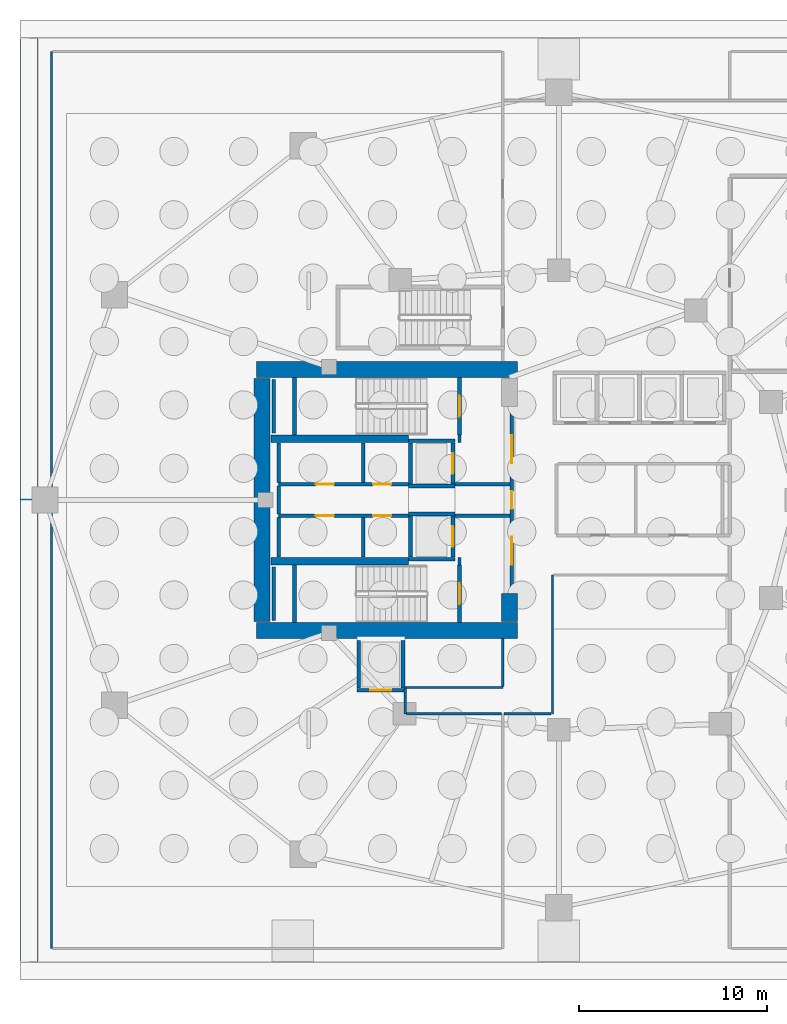
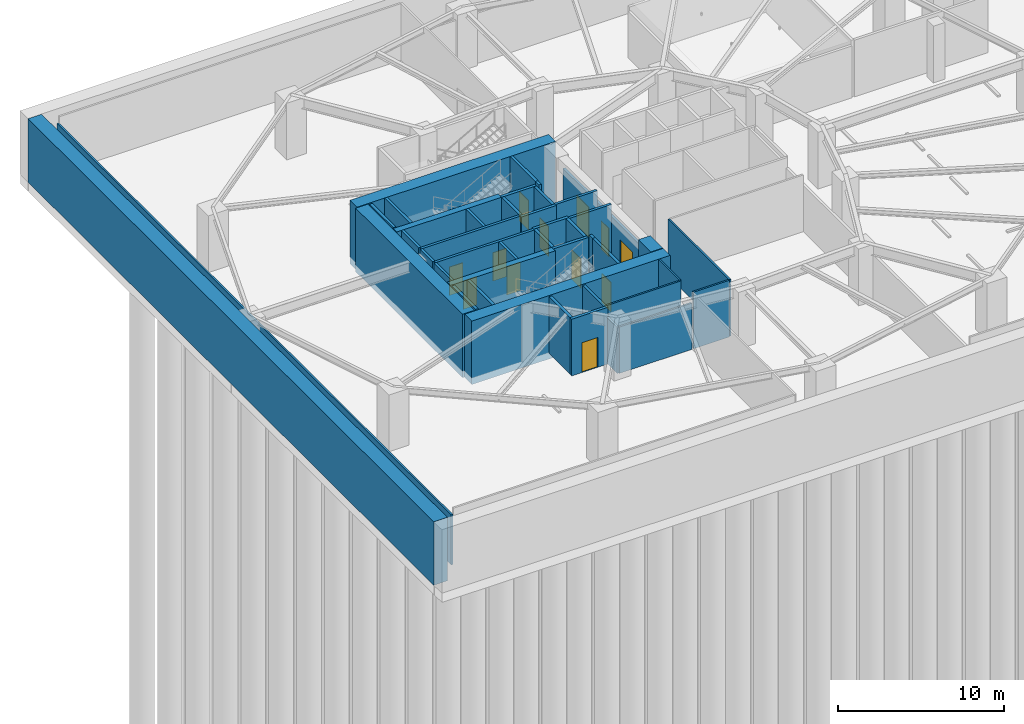
# One storey, part 6 of 19: 43 walls, 12 doors, 12 openings.
"""IFC4 building model written with IfcOpenShell, lengths in metres."""

from ifc_helpers import new_model, si_unit, direction, frame, frame_2d, origin, place, context, subcontext, project, spatial, rectangle, extrude, material, layer, layer_set, type_object, element, fill, save


model = new_model("IFC4")

# Units and contexts
model_context = context("Model", 3, precision=1e-05, world=origin(), true_north=direction((0.0, 1.0)))
body_context = subcontext(model_context, "Body", "Model", "MODEL_VIEW")
ifc_project = project(units=[si_unit("LENGTHUNIT", "METRE"), si_unit("AREAUNIT", "SQUARE_METRE"), si_unit("VOLUMEUNIT", "CUBIC_METRE"), si_unit("PLANEANGLEUNIT", "RADIAN"), si_unit("MASSUNIT", "GRAM", prefix="KILO")], contexts=[model_context])

# Site, building, storey
site_placement = place(None, origin())
site = spatial("IfcSite", under=ifc_project, at=site_placement, CompositionType="ELEMENT")
building_placement = place(site_placement, origin())
building = spatial("IfcBuilding", under=site, at=building_placement, Name="Kolvaren Gate Tower and Convention Centre", CompositionType="ELEMENT")
storey_placement = place(building_placement, frame((0.0, 0.0, -13.5)))
storey = spatial("IfcBuildingStorey", under=building, at=storey_placement, Name="B3", CompositionType="ELEMENT", Elevation=-13.5)

# Walls
ifc_material_1 = material(Name="Autoclaved Aerated Masonry Blockwork Class 4 (4.0 MPa)", Category="masonry")
ifc_layer_1 = layer(ifc_material_1, 0.179931640625)
ifc_layer_set_1 = layer_set([ifc_layer_1], Name="Autoclaved Aerated Masonry Blockwork Class 4 (4.0 MPa)")
wall_type_1 = type_object("IfcWallType", Name="ARCH-WL-COMP-180", PredefinedType="SOLIDWALL", material=ifc_layer_set_1)
for number, where, z_axis, x_axis, name in (
    (1, (24.85009765625, 23.5400390625, 0.0), (0.0, 0.0, 1.0), (0.0, 1.0, 0.0), "Interior Partition WL-B3-INT-001"),
    (2, (24.85009765625, 30.0400390625, 0.0), (0.0, 0.0, 1.0), (0.0, 1.0, 0.0), "Interior Partition WL-B3-INT-002"),
):
    element("IfcWall", number, at=place(storey_placement, frame(where, z_axis=z_axis, x_axis=x_axis)), inside=storey, type_object=wall_type_1, Name=name, PredefinedType="SOLIDWALL", context=body_context, shape_type="SweptSolid", body=[
        extrude(rectangle(XDim=0.419921875, YDim=0.179931640625, at=frame_2d((0.2099609375, 0.0))), origin(), (0.0, 0.0, 1.0), 4.179931640625),
    ])

# Wall, openings, doors
wall_1_placement = place(storey_placement, frame((27.6201171875, 22.050048828125, 0.0), z_axis=(0.0, 0.0, 1.0), x_axis=(0.0, 1.0, 0.0)))
wall_1 = element("IfcWall", 3, at=wall_1_placement, inside=storey, type_object=wall_type_1, Name="Interior Partition WL-B3-INT-003", PredefinedType="SOLIDWALL", context=body_context, shape_type="SweptSolid", body=[
    extrude(rectangle(XDim=9.89990234375, YDim=0.179931640625, at=frame_2d((4.949951171875, 0.0))), origin(), (0.0, 0.0, 1.0), 3.27197265625),
])
opening_1_placement = place(wall_1_placement, frame((4.47509765625, 0.0, 0.0)))
opening_1 = element("IfcOpeningElement", 4, at=opening_1_placement, cuts=wall_1, Name="Opening DR-01", PredefinedType="OPENING", context=body_context, shape_type="SweptSolid", body=[
    extrude(rectangle(XDim=0.949951171875, YDim=2.10009765625, at=frame_2d((0.47509765625, 1.050048828125))), frame((0.0, 0.099853515625, 0.0), z_axis=(0.0, -1.0, 0.0), x_axis=(1.0, 0.0, 0.0)), (0.0, 0.0, 1.0), 0.199951171875),
])
opening_2_placement = place(wall_1_placement, frame((6.889892578125, 0.0, 0.0)))
opening_2 = element("IfcOpeningElement", 5, at=opening_2_placement, cuts=wall_1, Name="Opening DL-01", PredefinedType="OPENING", context=body_context, shape_type="SweptSolid", body=[
    extrude(rectangle(XDim=1.5, YDim=2.199951171875, at=frame_2d((0.75, 1.10009765625))), frame((0.0, 0.099853515625, 0.0), z_axis=(0.0, -1.0, 0.0), x_axis=(1.0, 0.0, 0.0)), (0.0, 0.0, 1.0), 0.199951171875),
])
opening_3_placement = place(wall_1_placement, frame((1.510009765625, 0.0, 0.0)))
opening_3 = element("IfcOpeningElement", 6, at=opening_3_placement, cuts=wall_1, Name="Opening DL-01", PredefinedType="OPENING", context=body_context, shape_type="SweptSolid", body=[
    extrude(rectangle(XDim=1.5, YDim=2.199951171875, at=frame_2d((0.75, 1.10009765625))), frame((0.0, 0.099853515625, 0.0), z_axis=(0.0, -1.0, 0.0), x_axis=(1.0, 0.0, 0.0)), (0.0, 0.0, 1.0), 0.199951171875),
])
ifc_material_2 = material(Name="Painted Architectural Steelwork ASTM A500 Grade C 345 MPa", Category="steel")
door_type_1 = type_object("IfcDoorType", Name="ARCH-DR-LOBBY-1500", OperationType="DOUBLE_DOOR_SINGLE_SWING", PredefinedType="DOOR", material=ifc_material_2)
door_1_placement = place(opening_2_placement, origin())
door_1 = element("IfcDoor", 7, at=door_1_placement, inside=storey, type_object=door_type_1, Name="North Firefighting Stair and Lift Lobby Door", OperationType="DOUBLE_DOOR_SINGLE_SWING", OverallHeight=2.199951171875, OverallWidth=1.5, PredefinedType="DOOR", context=body_context, shape_type="SweptSolid", body=[
    extrude(rectangle(XDim=1.5, YDim=2.199951171875, at=frame_2d((0.75, 1.10009765625))), frame((0.0, 0.02490234375, 0.0), z_axis=(0.0, -1.0, 0.0), x_axis=(1.0, 0.0, 0.0)), (0.0, 0.0, 1.0), 0.050048828125),
])
fill(opening_2, door_1)
door_2_placement = place(opening_3_placement, origin())
door_2 = element("IfcDoor", 8, at=door_2_placement, inside=storey, type_object=door_type_1, Name="South Firefighting Stair and Lift Lobby Door", OperationType="DOUBLE_DOOR_SINGLE_SWING", OverallHeight=2.199951171875, OverallWidth=1.5, PredefinedType="DOOR", context=body_context, shape_type="SweptSolid", body=[
    extrude(rectangle(XDim=1.5, YDim=2.199951171875, at=frame_2d((0.75, 1.10009765625))), frame((0.0, 0.02490234375, 0.0), z_axis=(0.0, -1.0, 0.0), x_axis=(1.0, 0.0, 0.0)), (0.0, 0.0, 1.0), 0.050048828125),
])
fill(opening_3, door_2)
door_type_2 = type_object("IfcDoorType", Name="ARCH-DR-RISER-950", OperationType="SINGLE_SWING_RIGHT", PredefinedType="DOOR", material=ifc_material_2)
door_3_placement = place(opening_1_placement, origin())
door_3 = element("IfcDoor", 9, at=door_3_placement, inside=storey, type_object=door_type_2, Name="Central MEP Service Corridor Door", OperationType="SINGLE_SWING_RIGHT", OverallHeight=2.10009765625, OverallWidth=0.949951171875, PredefinedType="DOOR", context=body_context, shape_type="SweptSolid", body=[
    extrude(rectangle(XDim=0.949951171875, YDim=2.10009765625, at=frame_2d((0.47509765625, 1.050048828125))), frame((0.0, 0.02490234375, 0.0), z_axis=(0.0, -1.0, 0.0), x_axis=(1.0, 0.0, 0.0)), (0.0, 0.0, 1.0), 0.050048828125),
])
fill(opening_1, door_3)

wall_2_placement = place(storey_placement, frame((15.25, 27.840087890625, 0.0), z_axis=(0.0, 0.0, 1.0), x_axis=(1.0, 0.0, 0.0)))
wall_2 = element("IfcWall", 10, at=wall_2_placement, inside=storey, type_object=wall_type_1, Name="Interior Partition WL-B3-INT-004", PredefinedType="SOLIDWALL", context=body_context, shape_type="SweptSolid", body=[
    extrude(rectangle(XDim=6.89990234375, YDim=0.179931640625, at=frame_2d((3.449951171875, 0.0))), origin(), (0.0, 0.0, 1.0), 4.179931640625),
])
opening_4_placement = place(wall_2_placement, frame((5.02001953125, 0.0, 0.0)))
opening_4 = element("IfcOpeningElement", 11, at=opening_4_placement, cuts=wall_2, Name="Opening DR-01", PredefinedType="OPENING", context=body_context, shape_type="SweptSolid", body=[
    extrude(rectangle(XDim=0.949951171875, YDim=2.10009765625, at=frame_2d((0.47509765625, 1.050048828125))), frame((0.0, 0.099853515625, 0.0), z_axis=(0.0, -1.0, 0.0), x_axis=(1.0, 0.0, 0.0)), (0.0, 0.0, 1.0), 0.199951171875),
])
opening_5_placement = place(wall_2_placement, frame((1.97998046875, 0.0, 0.0)))
opening_5 = element("IfcOpeningElement", 12, at=opening_5_placement, cuts=wall_2, Name="Opening DR-01", PredefinedType="OPENING", context=body_context, shape_type="SweptSolid", body=[
    extrude(rectangle(XDim=0.949951171875, YDim=2.10009765625, at=frame_2d((0.47509765625, 1.050048828125))), frame((0.0, 0.099853515625, 0.0), z_axis=(0.0, -1.0, 0.0), x_axis=(1.0, 0.0, 0.0)), (0.0, 0.0, 1.0), 0.199951171875),
])
door_4_placement = place(opening_4_placement, origin())
door_4 = element("IfcDoor", 13, at=door_4_placement, inside=storey, type_object=door_type_2, Name="Electrical Switchgear Closet Door", OperationType="SINGLE_SWING_LEFT", OverallHeight=2.10009765625, OverallWidth=0.949951171875, PredefinedType="DOOR", context=body_context, shape_type="SweptSolid", body=[
    extrude(rectangle(XDim=0.949951171875, YDim=2.10009765625, at=frame_2d((0.47509765625, 1.050048828125))), frame((0.0, 0.02490234375, 0.0), z_axis=(0.0, -1.0, 0.0), x_axis=(1.0, 0.0, 0.0)), (0.0, 0.0, 1.0), 0.050048828125),
])
fill(opening_4, door_4)
door_5_placement = place(opening_5_placement, origin())
door_5 = element("IfcDoor", 14, at=door_5_placement, inside=storey, type_object=door_type_2, Name="Telecom Distribution Closet Door", OperationType="SINGLE_SWING_LEFT", OverallHeight=2.10009765625, OverallWidth=0.949951171875, PredefinedType="DOOR", context=body_context, shape_type="SweptSolid", body=[
    extrude(rectangle(XDim=0.949951171875, YDim=2.10009765625, at=frame_2d((0.47509765625, 1.050048828125))), frame((0.0, 0.02490234375, 0.0), z_axis=(0.0, -1.0, 0.0), x_axis=(1.0, 0.0, 0.0)), (0.0, 0.0, 1.0), 0.050048828125),
])
fill(opening_5, door_5)

# Wall
wall_3_placement = place(storey_placement, frame((24.60009765625, 27.840087890625, 0.0), z_axis=(0.0, 0.0, 1.0), x_axis=(1.0, 0.0, 0.0)))
element("IfcWall", 15, at=wall_3_placement, inside=storey, type_object=wall_type_1, Name="Interior Partition WL-B3-INT-004 (2)", PredefinedType="SOLIDWALL", context=body_context, shape_type="SweptSolid", body=[
    extrude(rectangle(XDim=2.927978515625, YDim=0.179931640625, at=frame_2d((1.4638671875, 0.0))), origin(), (0.0, 0.0, 1.0), 4.179931640625),
])

# Wall, openings, doors
wall_4_placement = place(storey_placement, frame((15.25, 26.159912109375, 0.0), z_axis=(0.0, 0.0, 1.0), x_axis=(1.0, 0.0, 0.0)))
wall_4 = element("IfcWall", 16, at=wall_4_placement, inside=storey, type_object=wall_type_1, Name="Interior Partition WL-B3-INT-005", PredefinedType="SOLIDWALL", context=body_context, shape_type="SweptSolid", body=[
    extrude(rectangle(XDim=6.89990234375, YDim=0.179931640625, at=frame_2d((3.449951171875, 0.0))), origin(), (0.0, 0.0, 1.0), 4.179931640625),
])
opening_6_placement = place(wall_4_placement, frame((5.02001953125, 0.0, 0.0)))
opening_6 = element("IfcOpeningElement", 17, at=opening_6_placement, cuts=wall_4, Name="Opening DR-01", PredefinedType="OPENING", context=body_context, shape_type="SweptSolid", body=[
    extrude(rectangle(XDim=0.949951171875, YDim=2.10009765625, at=frame_2d((0.47509765625, 1.050048828125))), frame((0.0, 0.099853515625, 0.0), z_axis=(0.0, -1.0, 0.0), x_axis=(1.0, 0.0, 0.0)), (0.0, 0.0, 1.0), 0.199951171875),
])
opening_7_placement = place(wall_4_placement, frame((1.97998046875, 0.0, 0.0)))
opening_7 = element("IfcOpeningElement", 18, at=opening_7_placement, cuts=wall_4, Name="Opening DR-01", PredefinedType="OPENING", context=body_context, shape_type="SweptSolid", body=[
    extrude(rectangle(XDim=0.949951171875, YDim=2.10009765625, at=frame_2d((0.47509765625, 1.050048828125))), frame((0.0, 0.099853515625, 0.0), z_axis=(0.0, -1.0, 0.0), x_axis=(1.0, 0.0, 0.0)), (0.0, 0.0, 1.0), 0.199951171875),
])
door_6_placement = place(opening_6_placement, origin())
door_6 = element("IfcDoor", 19, at=door_6_placement, inside=storey, type_object=door_type_2, Name="Domestic Water Meter Closet Door", OperationType="SINGLE_SWING_RIGHT", OverallHeight=2.10009765625, OverallWidth=0.949951171875, PredefinedType="DOOR", context=body_context, shape_type="SweptSolid", body=[
    extrude(rectangle(XDim=0.949951171875, YDim=2.10009765625, at=frame_2d((0.47509765625, 1.050048828125))), frame((0.0, 0.02490234375, 0.0), z_axis=(0.0, -1.0, 0.0), x_axis=(1.0, 0.0, 0.0)), (0.0, 0.0, 1.0), 0.050048828125),
])
fill(opening_6, door_6)
door_7_placement = place(opening_7_placement, origin())
door_7 = element("IfcDoor", 20, at=door_7_placement, inside=storey, type_object=door_type_2, Name="Smoke Damper Control Closet Door", OperationType="SINGLE_SWING_RIGHT", OverallHeight=2.10009765625, OverallWidth=0.949951171875, PredefinedType="DOOR", context=body_context, shape_type="SweptSolid", body=[
    extrude(rectangle(XDim=0.949951171875, YDim=2.10009765625, at=frame_2d((0.47509765625, 1.050048828125))), frame((0.0, 0.02490234375, 0.0), z_axis=(0.0, -1.0, 0.0), x_axis=(1.0, 0.0, 0.0)), (0.0, 0.0, 1.0), 0.050048828125),
])
fill(opening_7, door_7)

# Walls
wall_5_placement = place(storey_placement, frame((24.60009765625, 26.159912109375, 0.0), z_axis=(0.0, 0.0, 1.0), x_axis=(1.0, 0.0, 0.0)))
element("IfcWall", 21, at=wall_5_placement, inside=storey, type_object=wall_type_1, Name="Interior Partition WL-B3-INT-005 (2)", PredefinedType="SOLIDWALL", context=body_context, shape_type="SweptSolid", body=[
    extrude(rectangle(XDim=2.927978515625, YDim=0.179931640625, at=frame_2d((1.4638671875, 0.0))), origin(), (0.0, 0.0, 1.0), 4.179931640625),
])
wall_6_placement = place(storey_placement, frame((15.25, 23.9619140625, 0.0), z_axis=(0.0, 0.0, 1.0), x_axis=(0.0, 1.0, 0.0)))
element("IfcWall", 22, at=wall_6_placement, inside=storey, type_object=wall_type_1, Name="Interior Partition WL-B3-INT-006", PredefinedType="SOLIDWALL", context=body_context, shape_type="SweptSolid", body=[
    extrude(rectangle(XDim=2.106201171875, YDim=0.179931640625, at=frame_2d((1.05322265625, 0.0))), origin(), (0.0, 0.0, 1.0), 4.179931640625),
])
wall_7_placement = place(storey_placement, frame((15.25, 26.251953125, 0.0), z_axis=(0.0, 0.0, 1.0), x_axis=(0.0, 1.0, 0.0)))
element("IfcWall", 23, at=wall_7_placement, inside=storey, type_object=wall_type_1, Name="Interior Partition WL-B3-INT-006 (2)", PredefinedType="SOLIDWALL", context=body_context, shape_type="SweptSolid", body=[
    extrude(rectangle(XDim=1.49609375, YDim=0.179931640625, at=frame_2d((0.748046875, 0.0))), origin(), (0.0, 0.0, 1.0), 4.179931640625),
])
for number, where, z_axis, x_axis, name in (
    (24, (15.25, 27.931884765625, 0.0), (0.0, 0.0, 1.0), (0.0, 1.0, 0.0), "Interior Partition WL-B3-INT-006 (3)"),
    (25, (19.75, 23.9619140625, 0.0), (0.0, 0.0, 1.0), (0.0, 1.0, 0.0), "Interior Partition WL-B3-INT-007"),
    (26, (19.75, 27.931884765625, 0.0), (0.0, 0.0, 1.0), (0.0, 1.0, 0.0), "Interior Partition WL-B3-INT-008"),
):
    element("IfcWall", number, at=place(storey_placement, frame(where, z_axis=z_axis, x_axis=x_axis)), inside=storey, type_object=wall_type_1, Name=name, PredefinedType="SOLIDWALL", context=body_context, shape_type="SweptSolid", body=[
        extrude(rectangle(XDim=2.106201171875, YDim=0.179931640625, at=frame_2d((1.05322265625, 0.0))), origin(), (0.0, 0.0, 1.0), 4.179931640625),
    ])
ifc_material_3 = material(Name="Fire-Rated Acoustic Gypsum Stud Partition", Category="gypsum")
ifc_layer_2 = layer(ifc_material_3, 0.1201171875)
ifc_layer_set_2 = layer_set([ifc_layer_2], Name="Fire-Rated Acoustic Gypsum Stud Partition")
wall_type_2 = type_object("IfcWallType", Name="ARCH-WL-PART-120", PredefinedType="PARTITIONING", material=ifc_layer_set_2)
wall_8_placement = place(storey_placement, frame((21.969970703125, 15.64990234375, 0.0), z_axis=(0.0, 0.0, 1.0), x_axis=(0.0, 1.0, 0.0)))
element("IfcWall", 27, at=wall_8_placement, inside=storey, type_object=wall_type_2, Name="Interior Partition WL-B3-INT-014", PredefinedType="PARTITIONING", context=body_context, shape_type="SweptSolid", body=[
    extrude(rectangle(XDim=1.360107421875, YDim=0.1201171875, at=frame_2d((0.68017578125, 0.0))), origin(), (0.0, 0.0, 1.0), 3.4140625),
])
wall_9_placement = place(storey_placement, frame((21.969970703125, 17.050048828125, 0.0), z_axis=(0.0, 0.0, 1.0), x_axis=(1.0, 0.0, 0.0)))
element("IfcWall", 28, at=wall_9_placement, inside=storey, type_object=wall_type_2, Name="Interior Partition WL-B3-INT-015", PredefinedType="PARTITIONING", context=body_context, shape_type="SweptSolid", body=[
    extrude(rectangle(XDim=5.179931640625, YDim=0.1201171875, at=frame_2d((2.58984375, 0.0))), origin(), (0.0, 0.0, 1.0), 4.179931640625),
])
wall_10_placement = place(storey_placement, frame((27.14990234375, 17.112060546875, 0.0), z_axis=(0.0, 0.0, 1.0), x_axis=(0.0, 1.0, 0.0)))
element("IfcWall", 29, at=wall_10_placement, inside=storey, type_object=wall_type_2, Name="Interior Partition WL-B3-INT-017", PredefinedType="PARTITIONING", context=body_context, shape_type="SweptSolid", body=[
    extrude(rectangle(XDim=2.535888671875, YDim=0.1201171875, at=frame_2d((1.26806640625, 0.0))), origin(), (0.0, 0.0, 1.0), 4.179931640625),
])
wall_11_placement = place(storey_placement, frame((29.780029296875, 15.64990234375, 0.0), z_axis=(0.0, 0.0, 1.0), x_axis=(0.0, 1.0, 0.0)))
element("IfcWall", 30, at=wall_11_placement, inside=storey, type_object=wall_type_2, Name="Interior Partition WL-B3-INT-025", PredefinedType="PARTITIONING", context=body_context, shape_type="SweptSolid", body=[
    extrude(rectangle(XDim=7.3701171875, YDim=0.1201171875, at=frame_2d((3.68505859375, 0.0))), origin(), (0.0, 0.0, 1.0), 4.179931640625),
])
wall_12_placement = place(storey_placement, frame((22.031982421875, 15.64990234375, 0.0), z_axis=(0.0, 0.0, 1.0), x_axis=(1.0, 0.0, 0.0)))
element("IfcWall", 31, at=wall_12_placement, inside=storey, type_object=wall_type_2, Name="Interior Partition WL-B3-INT-027", PredefinedType="PARTITIONING", context=body_context, shape_type="SweptSolid", body=[
    extrude(rectangle(XDim=5.055908203125, YDim=0.1201171875, at=frame_2d((2.52783203125, 0.0))), origin(), (0.0, 0.0, 1.0), 3.4140625),
])
wall_13_placement = place(storey_placement, frame((27.2119140625, 15.64990234375, 0.0), z_axis=(0.0, 0.0, 1.0), x_axis=(1.0, 0.0, 0.0)))
element("IfcWall", 32, at=wall_13_placement, inside=storey, type_object=wall_type_2, Name="Interior Partition WL-B3-INT-027 (2)", PredefinedType="PARTITIONING", context=body_context, shape_type="SweptSolid", body=[
    extrude(rectangle(XDim=2.506103515625, YDim=0.1201171875, at=frame_2d((1.2529296875, 0.0))), origin(), (0.0, 0.0, 1.0), 4.179931640625),
])
wall_14_placement = place(storey_placement, frame((3.199951171875, 3.199951171875, 0.0), z_axis=(0.0, 0.0, 1.0), x_axis=(0.0, 1.0, 0.0)))
element("IfcWall", 33, at=wall_14_placement, inside=storey, type_object=wall_type_2, Name="Interior Partition WL-B3-INT-028", PredefinedType="PARTITIONING", context=body_context, shape_type="SweptSolid", body=[
    extrude(rectangle(XDim=47.60009765625, YDim=0.1201171875, at=frame_2d((23.800048828125, 0.0))), origin(), (0.0, 0.0, 1.0), 3.702880859375),
])
ifc_layer_3 = layer(ifc_material_1, 0.199951171875)
ifc_layer_set_3 = layer_set([ifc_layer_3], Name="Autoclaved Aerated Masonry Blockwork Class 4 (4.0 MPa)")
wall_type_3 = type_object("IfcWallType", Name="ARCH-WL-SHAFT-200", PredefinedType="SOLIDWALL", material=ifc_layer_set_3)
for number, where, z_axis, x_axis, name in (
    (34, (22.14990234375, 30.139892578125, 0.0), (0.0, 0.0, 1.0), (1.0, 0.0, 0.0), "Elevator FF-01 B3 Fire Shaft Wall N"),
    (35, (22.14990234375, 27.739990234375, 0.0), (0.0, 0.0, 1.0), (1.0, 0.0, 0.0), "Elevator FF-01 B3 Fire Shaft Wall S"),
):
    element("IfcWall", number, at=place(storey_placement, frame(where, z_axis=z_axis, x_axis=x_axis)), inside=storey, type_object=wall_type_3, Name=name, PredefinedType="SOLIDWALL", context=body_context, shape_type="SweptSolid", body=[
        extrude(rectangle(XDim=2.4501953125, YDim=0.199951171875, at=frame_2d((1.22509765625, 0.0))), origin(), (0.0, 0.0, 1.0), 4.179931640625),
    ])
wall_15_placement = place(storey_placement, frame((22.25, 27.85009765625, 0.0), z_axis=(0.0, 0.0, 1.0), x_axis=(0.0, 1.0, 0.0)))
element("IfcWall", 36, at=wall_15_placement, inside=storey, type_object=wall_type_3, Name="Elevator FF-01 B3 Fire Shaft Wall W", PredefinedType="SOLIDWALL", context=body_context, shape_type="SweptSolid", body=[
    extrude(rectangle(XDim=2.179931640625, YDim=0.199951171875, at=frame_2d((1.08984375, 0.0))), origin(), (0.0, 0.0, 1.0), 4.179931640625),
])

# Wall, opening, door
wall_16_placement = place(storey_placement, frame((24.5, 27.85009765625, 0.0), z_axis=(0.0, 0.0, 1.0), x_axis=(0.0, 1.0, 0.0)))
wall_16 = element("IfcWall", 37, at=wall_16_placement, inside=storey, type_object=wall_type_3, Name="Elevator FF-01 B3 Fire Shaft Wall E", PredefinedType="SOLIDWALL", context=body_context, shape_type="SweptSolid", body=[
    extrude(rectangle(XDim=2.179931640625, YDim=0.199951171875, at=frame_2d((1.08984375, 0.0))), origin(), (0.0, 0.0, 1.0), 4.179931640625),
])
opening_8_placement = place(wall_16_placement, frame((0.5400390625, 0.0, 0.0)))
opening_8 = element("IfcOpeningElement", 38, at=opening_8_placement, cuts=wall_16, Name="Opening LD", PredefinedType="OPENING", context=body_context, shape_type="SweptSolid", body=[
    extrude(rectangle(XDim=1.10009765625, YDim=2.199951171875, at=frame_2d((0.550048828125, 1.10009765625))), frame((0.0, 0.10986328125, 0.0), z_axis=(0.0, -1.0, 0.0), x_axis=(1.0, 0.0, 0.0)), (0.0, 0.0, 1.0), 0.219970703125),
])
ifc_material_4 = material(Name="Brushed Stainless Steel Grade 316L", Category="steel")
door_type_3 = type_object("IfcDoorType", Name="ARCH-DR-LIFT-1100", OperationType="SLIDING_TO_LEFT", PredefinedType="DOOR", material=ifc_material_4)
door_8_placement = place(opening_8_placement, origin())
door_8 = element("IfcDoor", 39, at=door_8_placement, inside=storey, type_object=door_type_3, Name="Elevator FF-01 B3 Sliding Landing Door", OperationType="SLIDING_TO_LEFT", OverallHeight=2.199951171875, OverallWidth=1.10009765625, PredefinedType="DOOR", context=body_context, shape_type="SweptSolid", body=[
    extrude(rectangle(XDim=1.10009765625, YDim=2.199951171875, at=frame_2d((0.550048828125, 1.10009765625))), frame((0.0, 0.02490234375, 0.0), z_axis=(0.0, -1.0, 0.0), x_axis=(1.0, 0.0, 0.0)), (0.0, 0.0, 1.0), 0.050048828125),
])
fill(opening_8, door_8)

# Walls
for number, where, z_axis, x_axis, name in (
    (40, (22.14990234375, 26.260009765625, 0.0), (0.0, 0.0, 1.0), (1.0, 0.0, 0.0), "Elevator FF-02 B3 Fire Shaft Wall N"),
    (41, (22.14990234375, 23.860107421875, 0.0), (0.0, 0.0, 1.0), (1.0, 0.0, 0.0), "Elevator FF-02 B3 Fire Shaft Wall S"),
):
    element("IfcWall", number, at=place(storey_placement, frame(where, z_axis=z_axis, x_axis=x_axis)), inside=storey, type_object=wall_type_3, Name=name, PredefinedType="SOLIDWALL", context=body_context, shape_type="SweptSolid", body=[
        extrude(rectangle(XDim=2.4501953125, YDim=0.199951171875, at=frame_2d((1.22509765625, 0.0))), origin(), (0.0, 0.0, 1.0), 4.179931640625),
    ])
wall_17_placement = place(storey_placement, frame((22.25, 23.969970703125, 0.0), z_axis=(0.0, 0.0, 1.0), x_axis=(0.0, 1.0, 0.0)))
element("IfcWall", 42, at=wall_17_placement, inside=storey, type_object=wall_type_3, Name="Elevator FF-02 B3 Fire Shaft Wall W", PredefinedType="SOLIDWALL", context=body_context, shape_type="SweptSolid", body=[
    extrude(rectangle(XDim=2.179931640625, YDim=0.199951171875, at=frame_2d((1.08984375, 0.0))), origin(), (0.0, 0.0, 1.0), 4.179931640625),
])

# Wall, opening, door
wall_18_placement = place(storey_placement, frame((24.5, 23.969970703125, 0.0), z_axis=(0.0, 0.0, 1.0), x_axis=(0.0, 1.0, 0.0)))
wall_18 = element("IfcWall", 43, at=wall_18_placement, inside=storey, type_object=wall_type_3, Name="Elevator FF-02 B3 Fire Shaft Wall E", PredefinedType="SOLIDWALL", context=body_context, shape_type="SweptSolid", body=[
    extrude(rectangle(XDim=2.179931640625, YDim=0.199951171875, at=frame_2d((1.08984375, 0.0))), origin(), (0.0, 0.0, 1.0), 4.179931640625),
])
opening_9_placement = place(wall_18_placement, frame((0.5400390625, 0.0, 0.0)))
opening_9 = element("IfcOpeningElement", 44, at=opening_9_placement, cuts=wall_18, Name="Opening LD", PredefinedType="OPENING", context=body_context, shape_type="SweptSolid", body=[
    extrude(rectangle(XDim=1.10009765625, YDim=2.199951171875, at=frame_2d((0.550048828125, 1.10009765625))), frame((0.0, 0.10986328125, 0.0), z_axis=(0.0, -1.0, 0.0), x_axis=(1.0, 0.0, 0.0)), (0.0, 0.0, 1.0), 0.219970703125),
])
door_9_placement = place(opening_9_placement, origin())
door_9 = element("IfcDoor", 45, at=door_9_placement, inside=storey, type_object=door_type_3, Name="Elevator FF-02 B3 Sliding Landing Door", OperationType="SLIDING_TO_LEFT", OverallHeight=2.199951171875, OverallWidth=1.10009765625, PredefinedType="DOOR", context=body_context, shape_type="SweptSolid", body=[
    extrude(rectangle(XDim=1.10009765625, YDim=2.199951171875, at=frame_2d((0.550048828125, 1.10009765625))), frame((0.0, 0.02490234375, 0.0), z_axis=(0.0, -1.0, 0.0), x_axis=(1.0, 0.0, 0.0)), (0.0, 0.0, 1.0), 0.050048828125),
])
fill(opening_9, door_9)

wall_19_placement = place(storey_placement, frame((19.39990234375, 16.89990234375, 0.0), z_axis=(0.0, 0.0, 1.0), x_axis=(1.0, 0.0, 0.0)))
wall_19 = element("IfcWall", 46, at=wall_19_placement, inside=storey, type_object=wall_type_3, Name="Elevator SV-01 B3 Fire Shaft Wall S", PredefinedType="SOLIDWALL", context=body_context, shape_type="SweptSolid", body=[
    extrude(rectangle(XDim=2.550048828125, YDim=0.199951171875, at=frame_2d((1.27490234375, 0.0))), origin(), (0.0, 0.0, 1.0), 4.179931640625),
])
opening_10_placement = place(wall_19_placement, frame((0.72509765625, 0.0, 0.0)))
opening_10 = element("IfcOpeningElement", 47, at=opening_10_placement, cuts=wall_19, Name="Opening LD", PredefinedType="OPENING", context=body_context, shape_type="SweptSolid", body=[
    extrude(rectangle(XDim=1.10009765625, YDim=2.199951171875, at=frame_2d((0.550048828125, 1.10009765625))), frame((0.0, 0.10986328125, 0.0), z_axis=(0.0, -1.0, 0.0), x_axis=(1.0, 0.0, 0.0)), (0.0, 0.0, 1.0), 0.219970703125),
])
door_10_placement = place(opening_10_placement, origin())
door_10 = element("IfcDoor", 48, at=door_10_placement, inside=storey, type_object=door_type_3, Name="Elevator SV-01 B3 Sliding Landing Door", OperationType="SLIDING_TO_LEFT", OverallHeight=2.199951171875, OverallWidth=1.10009765625, PredefinedType="DOOR", context=body_context, shape_type="SweptSolid", body=[
    extrude(rectangle(XDim=1.10009765625, YDim=2.199951171875, at=frame_2d((0.550048828125, 1.10009765625))), frame((0.0, 0.02490234375, 0.0), z_axis=(0.0, -1.0, 0.0), x_axis=(1.0, 0.0, 0.0)), (0.0, 0.0, 1.0), 0.050048828125),
])
fill(opening_10, door_10)

# Walls
for number, where, z_axis, x_axis, name in (
    (49, (19.5, 17.010009765625, 0.0), (0.0, 0.0, 1.0), (0.0, 1.0, 0.0), "Elevator SV-01 B3 Fire Shaft Wall W"),
    (50, (21.85009765625, 17.010009765625, 0.0), (0.0, 0.0, 1.0), (0.0, 1.0, 0.0), "Elevator SV-01 B3 Fire Shaft Wall E"),
):
    element("IfcWall", number, at=place(storey_placement, frame(where, z_axis=z_axis, x_axis=x_axis)), inside=storey, type_object=wall_type_3, Name=name, PredefinedType="SOLIDWALL", context=body_context, shape_type="SweptSolid", body=[
        extrude(rectangle(XDim=2.530029296875, YDim=0.199951171875, at=frame_2d((1.26513671875, 0.0))), origin(), (0.0, 0.0, 1.0), 4.179931640625),
    ])
for number, where, z_axis, x_axis, name in (
    (51, (14.989990234375, 30.550048828125, 0.0), (0.0, 0.0, 1.0), (0.0, 1.0, 0.0), "Vertical Shaft HVR B3 EI-120 Enclosure Wall W"),
    (52, (14.989990234375, 20.60009765625, 0.0), (0.0, 0.0, 1.0), (0.0, 1.0, 0.0), "Vertical Shaft MPR B3 EI-120 Enclosure Wall W"),
):
    element("IfcWall", number, at=place(storey_placement, frame(where, z_axis=z_axis, x_axis=x_axis)), inside=storey, type_object=wall_type_3, Name=name, PredefinedType="SOLIDWALL", context=body_context, shape_type="SweptSolid", body=[
        extrude(rectangle(XDim=2.849853515625, YDim=0.199951171875, at=frame_2d((1.4248046875, 0.0))), origin(), (0.0, 0.0, 1.0), 4.179931640625),
    ])
ifc_material_5 = material(Name="Concrete C50/60", Category="concrete")
ifc_layer_4 = layer(ifc_material_5, 0.419921875)
ifc_layer_set_4 = layer_set([ifc_layer_4], Name="Concrete C50/60")
wall_type_4 = type_object("IfcWallType", Name="STR-WL-CONV-420", PredefinedType="SHEAR", material=ifc_layer_set_4)
for number, where, z_axis, x_axis, name in (
    (53, (14.85009765625, 30.25, -0.5), (0.0, 0.0, 1.0), (1.0, 0.0, 0.0), "Tower B3 Offset Core Shear Wall WN"),
    (54, (14.85009765625, 23.75, -0.5), (0.0, 0.0, 1.0), (1.0, 0.0, 0.0), "Tower B3 Offset Core Shear Wall WS"),
):
    element("IfcWall", number, at=place(storey_placement, frame(where, z_axis=z_axis, x_axis=x_axis)), inside=storey, type_object=wall_type_4, Name=name, PredefinedType="SHEAR", context=body_context, shape_type="SweptSolid", body=[
        extrude(rectangle(XDim=7.2998046875, YDim=0.419921875, at=frame_2d((3.64990234375, 0.0))), origin(), (0.0, 0.0, 1.0), 4.679931640625),
    ])
ifc_material_6 = material(Name="Concrete C70/85", Category="concrete")
ifc_layer_5 = layer(ifc_material_6, 0.85009765625)
ifc_layer_set_5 = layer_set([ifc_layer_5], Name="Concrete C70/85")
wall_type_5 = type_object("IfcWallType", Name="STR-WL-CORE-850", PredefinedType="SHEAR", material=ifc_layer_set_5)
for number, where, z_axis, x_axis, name in (
    (55, (14.074951171875, 33.925048828125, -0.5), (0.0, 0.0, 1.0), (1.0, 0.0, 0.0), "Tower B3 Offset Core Shear Wall N"),
    (56, (14.074951171875, 20.074951171875, -0.5), (0.0, 0.0, 1.0), (1.0, 0.0, 0.0), "Tower B3 Offset Core Shear Wall S"),
):
    element("IfcWall", number, at=place(storey_placement, frame(where, z_axis=z_axis, x_axis=x_axis)), inside=storey, type_object=wall_type_5, Name=name, PredefinedType="SHEAR", context=body_context, shape_type="SweptSolid", body=[
        extrude(rectangle(XDim=13.85009765625, YDim=0.85009765625, at=frame_2d((6.925048828125, 0.0))), origin(), (0.0, 0.0, 1.0), 4.679931640625),
    ])
wall_20_placement = place(storey_placement, frame((14.375, 20.550048828125, -0.5), z_axis=(0.0, 0.0, 1.0), x_axis=(0.0, 1.0, 0.0)))
element("IfcWall", 57, at=wall_20_placement, inside=storey, type_object=wall_type_5, Name="Tower B3 Offset Core Shear Wall W", PredefinedType="SHEAR", context=body_context, shape_type="SweptSolid", body=[
    extrude(rectangle(XDim=12.89990234375, YDim=0.85009765625, at=frame_2d((6.449951171875, 0.0))), origin(), (0.0, 0.0, 1.0), 4.679931640625),
])
wall_21_placement = place(storey_placement, frame((27.5, 20.550048828125, -0.5), z_axis=(0.0, 0.0, 1.0), x_axis=(0.0, 1.0, 0.0)))
element("IfcWall", 58, at=wall_21_placement, inside=storey, type_object=wall_type_5, Name="Tower B3 Offset Core Shear Wall ES", PredefinedType="SHEAR", context=body_context, shape_type="SweptSolid", body=[
    extrude(rectangle(XDim=1.5, YDim=0.85009765625, at=frame_2d((0.75, 0.0))), origin(), (0.0, 0.0, 1.0), 4.679931640625),
])
ifc_layer_6 = layer(ifc_material_5, 0.949951171875)
ifc_layer_set_6 = layer_set([ifc_layer_6], Name="Concrete C50/60")
wall_type_6 = type_object("IfcWallType", Name="STR-WL-DIAPH-950", PredefinedType="USERDEFINED", material=ifc_layer_set_6)
wall_22_placement = place(storey_placement, frame((2.0, 2.4951171875, -0.5), z_axis=(0.0, 0.0, 1.0), x_axis=(0.0, 1.0, 0.0)))
element("IfcWall", 59, at=wall_22_placement, inside=storey, type_object=wall_type_6, Name="Basement B3 W Perimeter Diaphragm Wall", ObjectType="RETAINING WALL", PredefinedType="USERDEFINED", context=body_context, shape_type="SweptSolid", body=[
    extrude(rectangle(XDim=49.009765625, YDim=0.949951171875, at=frame_2d((24.5048828125, 0.0))), origin(), (0.0, 0.0, 1.0), 4.679931640625),
])

# Wall, opening, door
ifc_layer_7 = layer(ifc_material_5, 0.199951171875)
ifc_layer_set_7 = layer_set([ifc_layer_7], Name="Concrete C50/60")
wall_type_7 = type_object("IfcWallType", Name="STR-WL-SHAFT-200", PredefinedType="SHEAR", material=ifc_layer_set_7)
wall_23_placement = place(storey_placement, frame((24.85009765625, 30.4599609375, -0.5), z_axis=(0.0, 0.0, 1.0), x_axis=(0.0, 1.0, 0.0)))
wall_23 = element("IfcWall", 60, at=wall_23_placement, inside=storey, type_object=wall_type_7, Name="Tower North Exit Stair ST-T1 B3 Structural Shear Enclosure Wall NEAR", PredefinedType="SHEAR", context=body_context, shape_type="SweptSolid", body=[
    extrude(rectangle(XDim=3.0380859375, YDim=0.199951171875, at=frame_2d((1.51904296875, 0.0))), origin(), (0.0, 0.0, 1.0), 4.679931640625),
])
opening_11_placement = place(wall_23_placement, frame((0.968994140625, 0.0, 0.5)))
opening_11 = element("IfcOpeningElement", 61, at=opening_11_placement, cuts=wall_23, Name="Opening DS-01", PredefinedType="OPENING", context=body_context, shape_type="SweptSolid", body=[
    extrude(rectangle(XDim=1.10009765625, YDim=2.14990234375, at=frame_2d((0.550048828125, 1.074951171875))), frame((0.0, 0.10986328125, 0.0), z_axis=(0.0, -1.0, 0.0), x_axis=(1.0, 0.0, 0.0)), (0.0, 0.0, 1.0), 0.219970703125),
])
door_type_4 = type_object("IfcDoorType", Name="ARCH-DR-STAIR-1100", OperationType="SINGLE_SWING_LEFT", PredefinedType="DOOR", material=ifc_material_2)
door_11_placement = place(opening_11_placement, origin())
door_11 = element("IfcDoor", 62, at=door_11_placement, inside=storey, type_object=door_type_4, Name="Tower North Exit Stair ST-T1 B3 Fire Exit Stair Door", OperationType="SINGLE_SWING_LEFT", OverallHeight=2.14990234375, OverallWidth=1.10009765625, PredefinedType="DOOR", context=body_context, shape_type="SweptSolid", body=[
    extrude(rectangle(XDim=1.10009765625, YDim=2.14990234375, at=frame_2d((0.550048828125, 1.074951171875))), frame((0.0, 0.02490234375, 0.0), z_axis=(0.0, -1.0, 0.0), x_axis=(1.0, 0.0, 0.0)), (0.0, 0.0, 1.0), 0.050048828125),
])
fill(opening_11, door_11)

# Wall
wall_24_placement = place(storey_placement, frame((16.10009765625, 30.4619140625, -0.5), z_axis=(0.0, 0.0, 1.0), x_axis=(0.0, 1.0, 0.0)))
element("IfcWall", 63, at=wall_24_placement, inside=storey, type_object=wall_type_7, Name="Tower North Exit Stair ST-T1 B3 Structural Shear Enclosure Wall FAR", PredefinedType="SHEAR", context=body_context, shape_type="SweptSolid", body=[
    extrude(rectangle(XDim=3.0361328125, YDim=0.199951171875, at=frame_2d((1.51806640625, 0.0))), origin(), (0.0, 0.0, 1.0), 4.679931640625),
])

# Wall, opening, door
wall_25_placement = place(storey_placement, frame((24.85009765625, 20.501953125, -0.5), z_axis=(0.0, 0.0, 1.0), x_axis=(0.0, 1.0, 0.0)))
wall_25 = element("IfcWall", 64, at=wall_25_placement, inside=storey, type_object=wall_type_7, Name="Tower South Exit Stair ST-T2 B3 Structural Shear Enclosure Wall NEAR", PredefinedType="SHEAR", context=body_context, shape_type="SweptSolid", body=[
    extrude(rectangle(XDim=3.0380859375, YDim=0.199951171875, at=frame_2d((1.51904296875, 0.0))), origin(), (0.0, 0.0, 1.0), 4.679931640625),
])
opening_12_placement = place(wall_25_placement, frame((0.968994140625, 0.0, 0.5)))
opening_12 = element("IfcOpeningElement", 65, at=opening_12_placement, cuts=wall_25, Name="Opening DS-01", PredefinedType="OPENING", context=body_context, shape_type="SweptSolid", body=[
    extrude(rectangle(XDim=1.10009765625, YDim=2.14990234375, at=frame_2d((0.550048828125, 1.074951171875))), frame((0.0, 0.10986328125, 0.0), z_axis=(0.0, -1.0, 0.0), x_axis=(1.0, 0.0, 0.0)), (0.0, 0.0, 1.0), 0.219970703125),
])
door_12_placement = place(opening_12_placement, origin())
door_12 = element("IfcDoor", 66, at=door_12_placement, inside=storey, type_object=door_type_4, Name="Tower South Exit Stair ST-T2 B3 Fire Exit Stair Door", OperationType="SINGLE_SWING_LEFT", OverallHeight=2.14990234375, OverallWidth=1.10009765625, PredefinedType="DOOR", context=body_context, shape_type="SweptSolid", body=[
    extrude(rectangle(XDim=1.10009765625, YDim=2.14990234375, at=frame_2d((0.550048828125, 1.074951171875))), frame((0.0, 0.02490234375, 0.0), z_axis=(0.0, -1.0, 0.0), x_axis=(1.0, 0.0, 0.0)), (0.0, 0.0, 1.0), 0.050048828125),
])
fill(opening_12, door_12)

# Wall
wall_26_placement = place(storey_placement, frame((16.10009765625, 20.501953125, -0.5), z_axis=(0.0, 0.0, 1.0), x_axis=(0.0, 1.0, 0.0)))
element("IfcWall", 67, at=wall_26_placement, inside=storey, type_object=wall_type_7, Name="Tower South Exit Stair ST-T2 B3 Structural Shear Enclosure Wall FAR", PredefinedType="SHEAR", context=body_context, shape_type="SweptSolid", body=[
    extrude(rectangle(XDim=3.0361328125, YDim=0.199951171875, at=frame_2d((1.51806640625, 0.0))), origin(), (0.0, 0.0, 1.0), 4.679931640625),
])

save(model, "model.ifc")
